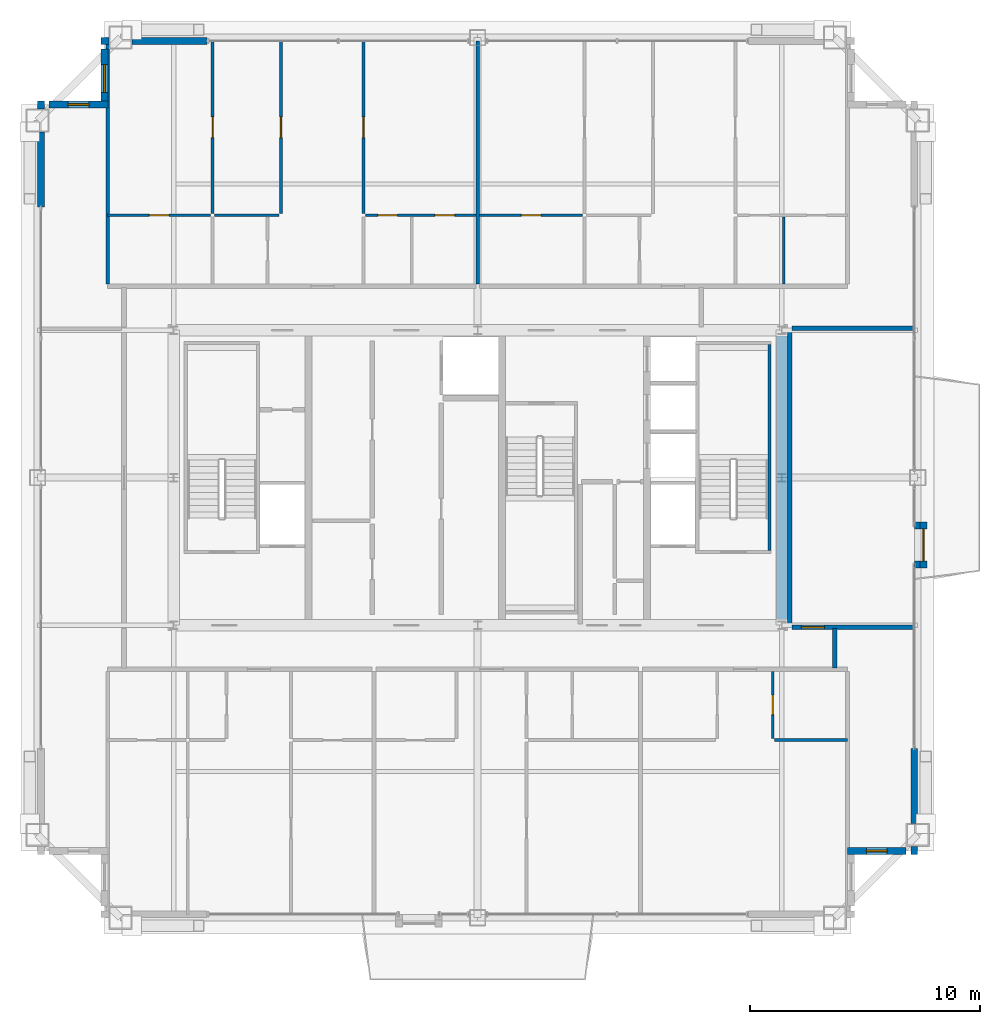
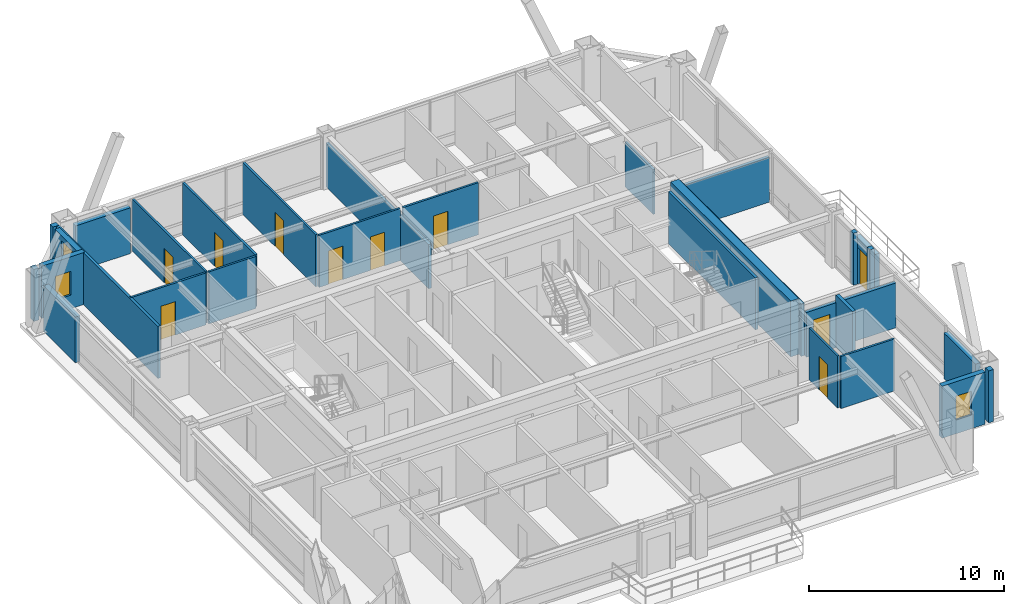
# One storey, part 33 of 35: 30 walls, 10 doors, 3 windows, 13 openings.
"""IFC4 building model written with IfcOpenShell, lengths in metres."""

from ifc_helpers import new_model, si_unit, direction, frame, frame_2d, origin, place, context, subcontext, project, spatial, rectangle, extrude, source, transform, mapped, material, layer, layer_set, type_object, element, fill, save


model = new_model("IFC4")

# Units and contexts
model_context = context("Model", 3, precision=1e-05, world=origin(), true_north=direction((0.0, 1.0)))
body_context = subcontext(model_context, "Body", "Model", "MODEL_VIEW")
ifc_project = project(units=[si_unit("LENGTHUNIT", "METRE"), si_unit("AREAUNIT", "SQUARE_METRE"), si_unit("VOLUMEUNIT", "CUBIC_METRE"), si_unit("PLANEANGLEUNIT", "RADIAN"), si_unit("MASSUNIT", "GRAM", prefix="KILO"), si_unit("THERMODYNAMICTEMPERATUREUNIT", "KELVIN"), si_unit("POWERUNIT", "WATT")], contexts=[model_context])

# Site, building, storey
site_placement = place(None, origin())
site = spatial("IfcSite", under=ifc_project, at=site_placement, CompositionType="ELEMENT")
building_placement = place(site_placement, origin())
building = spatial("IfcBuilding", under=site, at=building_placement, Name="Yuzanri Waterfront Tower", CompositionType="ELEMENT")
storey_placement = place(building_placement, frame((0.0, 0.0, 335.699951171875)))
storey = spatial("IfcBuildingStorey", under=building, at=storey_placement, Name="L90", CompositionType="ELEMENT", Elevation=335.699951171875)

# Wall, opening, door
ifc_material_1 = material(Name="Moisture-Resistant Gypsum Stud Wall", Category="gypsum")
ifc_layer_1 = layer(ifc_material_1, 0.1201171875)
ifc_layer_set_1 = layer_set([ifc_layer_1], Name="Moisture-Resistant Gypsum Stud Wall")
wall_type_1 = type_object("IfcWallType", Name="Bathroom and Kitchen Wet Partition 120", PredefinedType="PARTITIONING", material=ifc_layer_set_1)
wall_1_placement = place(storey_placement, frame((49.804931640625, 14.489990234375, 0.0), z_axis=(0.0, 0.0, 1.0), x_axis=(0.0, 1.0, 0.0)))
wall_1 = element("IfcWall", 1, at=wall_1_placement, inside=storey, type_object=wall_type_1, Name="L90 Partition UW-L90-HS3-SUB-2-W", PredefinedType="PARTITIONING", context=body_context, shape_type="SweptSolid", body=[
    extrude(rectangle(XDim=2.89990234375, YDim=0.1201171875, at=frame_2d((1.449951171875, 0.0))), origin(), (0.0, 0.0, 1.0), 3.260009765625),
])
opening_1_placement = place(wall_1_placement, frame((1.02490234375, 0.0, 0.0)))
opening_1 = element("IfcOpeningElement", 2, at=opening_1_placement, cuts=wall_1, Name="Opening ID-0850", PredefinedType="OPENING", context=body_context, shape_type="SweptSolid", body=[
    extrude(rectangle(XDim=0.85009765625, YDim=2.10009765625, at=frame_2d((0.425048828125, 1.050048828125))), frame((0.0, 0.074951171875, 0.0), z_axis=(0.0, -1.0, 0.0), x_axis=(1.0, 0.0, 0.0)), (0.0, 0.0, 1.0), 0.14990234375),
])
ifc_material_2 = material(Name="Moisture-Resistant Lacquered Timber", Category="wood")
door_type_1 = type_object("IfcDoorType", Name="En-Suite Bathroom and Kitchen Swing Door 850x2100", OperationType="NOTDEFINED", PredefinedType="DOOR", material=ifc_material_2)
shared_shape_1 = source(origin(), body_context, "Body", "SweptSolid", [
    extrude(rectangle(XDim=0.85009765625, YDim=2.10009765625, at=frame_2d((0.425048828125, 1.050048828125))), frame((0.0, 0.02490234375, 0.0), z_axis=(0.0, -1.0, 0.0), x_axis=(1.0, 0.0, 0.0)), (0.0, 0.0, 1.0), 0.050048828125),
])
door_1_placement = place(opening_1_placement, origin())
door_1 = element("IfcDoor", 3, at=door_1_placement, inside=storey, type_object=door_type_1, Name="L90 Suite Interior Room Door", OperationType="SINGLE_SWING_LEFT", OverallHeight=2.10009765625, OverallWidth=0.85009765625, PredefinedType="DOOR", context=body_context, shape_type="MappedRepresentation", body=[
    mapped(shared_shape_1, transform((0.0, 0.0, 0.0), scale=1.0)),
])
fill(opening_1, door_1)

wall_2_placement = place(storey_placement, frame((20.93994140625, 37.18994140625, 0.0), z_axis=(0.0, 0.0, 1.0), x_axis=(1.0, 0.0, 0.0)))
wall_2 = element("IfcWall", 4, at=wall_2_placement, inside=storey, type_object=wall_type_1, Name="L90 Partition UW-L90-HN1-SUB-1-N", PredefinedType="PARTITIONING", context=body_context, shape_type="SweptSolid", body=[
    extrude(rectangle(XDim=4.47412109375, YDim=0.1201171875, at=frame_2d((2.237060546875, 0.0))), origin(), (0.0, 0.0, 1.0), 3.260009765625),
])
opening_2_placement = place(wall_2_placement, frame((1.81201171875, 0.0, 0.0)))
opening_2 = element("IfcOpeningElement", 5, at=opening_2_placement, cuts=wall_2, Name="Opening ID-0850", PredefinedType="OPENING", context=body_context, shape_type="SweptSolid", body=[
    extrude(rectangle(XDim=0.85009765625, YDim=2.10009765625, at=frame_2d((0.425048828125, 1.050048828125))), frame((0.0, 0.074951171875, 0.0), z_axis=(0.0, -1.0, 0.0), x_axis=(1.0, 0.0, 0.0)), (0.0, 0.0, 1.0), 0.14990234375),
])
door_2_placement = place(opening_2_placement, origin())
door_2 = element("IfcDoor", 6, at=door_2_placement, inside=storey, type_object=door_type_1, Name="L90 Suite Interior Room Door", OperationType="SINGLE_SWING_LEFT", OverallHeight=2.10009765625, OverallWidth=0.85009765625, PredefinedType="DOOR", context=body_context, shape_type="MappedRepresentation", body=[
    mapped(shared_shape_1, transform((0.0, 0.0, 0.0), scale=1.0)),
])
fill(opening_2, door_2)

wall_3_placement = place(storey_placement, frame((25.493896484375, 37.27001953125, 0.0), z_axis=(0.0, 0.0, 1.0), x_axis=(0.0, 1.0, 0.0)))
wall_3 = element("IfcWall", 7, at=wall_3_placement, inside=storey, type_object=wall_type_1, Name="L90 Partition UW-L90-HN1-SUB-5-E", PredefinedType="PARTITIONING", context=body_context, shape_type="SweptSolid", body=[
    extrude(rectangle(XDim=7.47998046875, YDim=0.1201171875, at=frame_2d((3.739990234375, 0.0))), origin(), (0.0, 0.0, 1.0), 3.260009765625),
])
opening_3_placement = place(wall_3_placement, frame((3.2900390625, 0.0, 0.0)))
opening_3 = element("IfcOpeningElement", 8, at=opening_3_placement, cuts=wall_3, Name="Opening ID-0900", PredefinedType="OPENING", context=body_context, shape_type="SweptSolid", body=[
    extrude(rectangle(XDim=0.89990234375, YDim=2.14990234375, at=frame_2d((0.449951171875, 1.074951171875))), frame((0.0, 0.074951171875, 0.0), z_axis=(0.0, -1.0, 0.0), x_axis=(1.0, 0.0, 0.0)), (0.0, 0.0, 1.0), 0.14990234375),
])
ifc_material_3 = material(Name="Stained Walnut Veneer Timber", Category="wood")
door_type_2 = type_object("IfcDoorType", Name="Bedroom and Study Interior Swing Door 900x2150", OperationType="NOTDEFINED", PredefinedType="DOOR", material=ifc_material_3)
shared_shape_2 = source(origin(), body_context, "Body", "SweptSolid", [
    extrude(rectangle(XDim=0.89990234375, YDim=2.14990234375, at=frame_2d((0.449951171875, 1.074951171875))), frame((0.0, 0.02490234375, 0.0), z_axis=(0.0, -1.0, 0.0), x_axis=(1.0, 0.0, 0.0)), (0.0, 0.0, 1.0), 0.050048828125),
])
door_3_placement = place(opening_3_placement, origin())
door_3 = element("IfcDoor", 9, at=door_3_placement, inside=storey, type_object=door_type_2, Name="L90 Suite Interior Room Door", OperationType="SINGLE_SWING_LEFT", OverallHeight=2.14990234375, OverallWidth=0.89990234375, PredefinedType="DOOR", context=body_context, shape_type="MappedRepresentation", body=[
    mapped(shared_shape_2, transform((0.0, 0.0, 0.0), scale=1.0)),
])
fill(opening_3, door_3)

# Wall, openings, doors
wall_4_placement = place(storey_placement, frame((32.1259765625, 37.18994140625, 0.0), z_axis=(0.0, 0.0, 1.0), x_axis=(1.0, 0.0, 0.0)))
wall_4 = element("IfcWall", 10, at=wall_4_placement, inside=storey, type_object=wall_type_1, Name="L90 Partition UW-L90-HN1-SUB-6-S", PredefinedType="PARTITIONING", context=body_context, shape_type="SweptSolid", body=[
    extrude(rectangle(XDim=4.7939453125, YDim=0.1201171875, at=frame_2d((2.39697265625, 0.0))), origin(), (0.0, 0.0, 1.0), 3.260009765625),
])
opening_4_placement = place(wall_4_placement, frame((3.01904296875, 0.0, 0.0)))
opening_4 = element("IfcOpeningElement", 11, at=opening_4_placement, cuts=wall_4, Name="Opening ID-0850", PredefinedType="OPENING", context=body_context, shape_type="SweptSolid", body=[
    extrude(rectangle(XDim=0.85009765625, YDim=2.10009765625, at=frame_2d((0.425048828125, 1.050048828125))), frame((0.0, 0.074951171875, 0.0), z_axis=(0.0, -1.0, 0.0), x_axis=(1.0, 0.0, 0.0)), (0.0, 0.0, 1.0), 0.14990234375),
])
opening_5_placement = place(wall_4_placement, frame((0.5419921875, 0.0, 0.0)))
opening_5 = element("IfcOpeningElement", 12, at=opening_5_placement, cuts=wall_4, Name="Opening ID-0850", PredefinedType="OPENING", context=body_context, shape_type="SweptSolid", body=[
    extrude(rectangle(XDim=0.85009765625, YDim=2.10009765625, at=frame_2d((0.425048828125, 1.050048828125))), frame((0.0, 0.074951171875, 0.0), z_axis=(0.0, -1.0, 0.0), x_axis=(1.0, 0.0, 0.0)), (0.0, 0.0, 1.0), 0.14990234375),
])
door_4_placement = place(opening_4_placement, origin())
door_4 = element("IfcDoor", 13, at=door_4_placement, inside=storey, type_object=door_type_1, Name="L90 Suite Interior Room Door", OperationType="SINGLE_SWING_LEFT", OverallHeight=2.10009765625, OverallWidth=0.85009765625, PredefinedType="DOOR", context=body_context, shape_type="MappedRepresentation", body=[
    mapped(shared_shape_1, transform((0.0, 0.0, 0.0), scale=1.0)),
])
fill(opening_4, door_4)
door_5_placement = place(opening_5_placement, origin())
door_5 = element("IfcDoor", 14, at=door_5_placement, inside=storey, type_object=door_type_1, Name="L90 Suite Interior Room Door", OperationType="SINGLE_SWING_RIGHT", OverallHeight=2.10009765625, OverallWidth=0.85009765625, PredefinedType="DOOR", context=body_context, shape_type="MappedRepresentation", body=[
    mapped(shared_shape_1, transform((0.0, 0.0, 0.0), scale=1.0)),
])
fill(opening_5, door_5)

# Wall, opening, door
wall_5_placement = place(storey_placement, frame((32.0458984375, 37.27001953125, 0.0), z_axis=(0.0, 0.0, 1.0), x_axis=(0.0, 1.0, 0.0)))
wall_5 = element("IfcWall", 15, at=wall_5_placement, inside=storey, type_object=wall_type_1, Name="L90 Partition UW-L90-HN1-SUB-6-W", PredefinedType="PARTITIONING", context=body_context, shape_type="SweptSolid", body=[
    extrude(rectangle(XDim=7.47998046875, YDim=0.1201171875, at=frame_2d((3.739990234375, 0.0))), origin(), (0.0, 0.0, 1.0), 3.260009765625),
])
opening_6_placement = place(wall_5_placement, frame((3.2900390625, 0.0, 0.0)))
opening_6 = element("IfcOpeningElement", 16, at=opening_6_placement, cuts=wall_5, Name="Opening ID-0900", PredefinedType="OPENING", context=body_context, shape_type="SweptSolid", body=[
    extrude(rectangle(XDim=0.89990234375, YDim=2.14990234375, at=frame_2d((0.449951171875, 1.074951171875))), frame((0.0, 0.074951171875, 0.0), z_axis=(0.0, -1.0, 0.0), x_axis=(1.0, 0.0, 0.0)), (0.0, 0.0, 1.0), 0.14990234375),
])
door_6_placement = place(opening_6_placement, origin())
door_6 = element("IfcDoor", 17, at=door_6_placement, inside=storey, type_object=door_type_2, Name="L90 Suite Interior Room Door", OperationType="SINGLE_SWING_RIGHT", OverallHeight=2.14990234375, OverallWidth=0.89990234375, PredefinedType="DOOR", context=body_context, shape_type="MappedRepresentation", body=[
    mapped(shared_shape_2, transform((0.0, 0.0, 0.0), scale=1.0)),
])
fill(opening_6, door_6)

wall_6_placement = place(storey_placement, frame((28.466064453125, 37.27001953125, 0.0), z_axis=(0.0, 0.0, 1.0), x_axis=(0.0, 1.0, 0.0)))
wall_6 = element("IfcWall", 18, at=wall_6_placement, inside=storey, type_object=wall_type_1, Name="L90 Partition UW-L90-HN1-SUB-7-E", PredefinedType="PARTITIONING", context=body_context, shape_type="SweptSolid", body=[
    extrude(rectangle(XDim=7.47998046875, YDim=0.1201171875, at=frame_2d((3.739990234375, 0.0))), origin(), (0.0, 0.0, 1.0), 3.260009765625),
])
opening_7_placement = place(wall_6_placement, frame((3.2900390625, 0.0, 0.0)))
opening_7 = element("IfcOpeningElement", 19, at=opening_7_placement, cuts=wall_6, Name="Opening ID-0900", PredefinedType="OPENING", context=body_context, shape_type="SweptSolid", body=[
    extrude(rectangle(XDim=0.89990234375, YDim=2.14990234375, at=frame_2d((0.449951171875, 1.074951171875))), frame((0.0, 0.074951171875, 0.0), z_axis=(0.0, -1.0, 0.0), x_axis=(1.0, 0.0, 0.0)), (0.0, 0.0, 1.0), 0.14990234375),
])
door_7_placement = place(opening_7_placement, origin())
door_7 = element("IfcDoor", 20, at=door_7_placement, inside=storey, type_object=door_type_2, Name="L90 Suite Interior Room Door", OperationType="SINGLE_SWING_LEFT", OverallHeight=2.14990234375, OverallWidth=0.89990234375, PredefinedType="DOOR", context=body_context, shape_type="MappedRepresentation", body=[
    mapped(shared_shape_2, transform((0.0, 0.0, 0.0), scale=1.0)),
])
fill(opening_7, door_7)

wall_7_placement = place(storey_placement, frame((37.080078125, 37.18994140625, 0.0), z_axis=(0.0, 0.0, 1.0), x_axis=(1.0, 0.0, 0.0)))
wall_7 = element("IfcWall", 21, at=wall_7_placement, inside=storey, type_object=wall_type_1, Name="L90 Partition UW-L90-HN2-SUB-1-N", PredefinedType="PARTITIONING", context=body_context, shape_type="SweptSolid", body=[
    extrude(rectangle(XDim=4.473876953125, YDim=0.1201171875, at=frame_2d((2.23681640625, 0.0))), origin(), (0.0, 0.0, 1.0), 3.260009765625),
])
opening_8_placement = place(wall_7_placement, frame((1.81201171875, 0.0, 0.0)))
opening_8 = element("IfcOpeningElement", 22, at=opening_8_placement, cuts=wall_7, Name="Opening ID-0850", PredefinedType="OPENING", context=body_context, shape_type="SweptSolid", body=[
    extrude(rectangle(XDim=0.85009765625, YDim=2.10009765625, at=frame_2d((0.425048828125, 1.050048828125))), frame((0.0, 0.074951171875, 0.0), z_axis=(0.0, -1.0, 0.0), x_axis=(1.0, 0.0, 0.0)), (0.0, 0.0, 1.0), 0.14990234375),
])
door_8_placement = place(opening_8_placement, origin())
door_8 = element("IfcDoor", 23, at=door_8_placement, inside=storey, type_object=door_type_1, Name="L90 Suite Interior Room Door", OperationType="SINGLE_SWING_LEFT", OverallHeight=2.10009765625, OverallWidth=0.85009765625, PredefinedType="DOOR", context=body_context, shape_type="MappedRepresentation", body=[
    mapped(shared_shape_1, transform((0.0, 0.0, 0.0), scale=1.0)),
])
fill(opening_8, door_8)

# Wall, opening, window
ifc_material_4 = material(Name="Honed Chongqing Dark Basalt Stone", Category="masonry")
ifc_layer_2 = layer(ifc_material_4, 0.300048828125)
ifc_layer_set_2 = layer_set([ifc_layer_2], Name="Honed Chongqing Dark Basalt Stone")
wall_type_2 = type_object("IfcWallType", Name="Bronze Rainscreen Insulated Spandrel Portal Wall 300", PredefinedType="SOLIDWALL", material=ifc_layer_set_2)
wall_8_placement = place(storey_placement, frame((53.050048828125, 9.60009765625, 0.0), z_axis=(0.0, 0.0, 1.0), x_axis=(1.0, 0.0, 0.0)))
wall_8 = element("IfcWall", 24, at=wall_8_placement, inside=storey, type_object=wall_type_2, Name="L90 Notched Corner Masonry Wall SE-X", PredefinedType="SOLIDWALL", context=body_context, shape_type="SweptSolid", body=[
    extrude(rectangle(XDim=2.550048828125, YDim=0.300048828125, at=frame_2d((1.27490234375, 0.0))), origin(), (0.0, 0.0, 1.0), 3.260009765625),
])
opening_9_placement = place(wall_8_placement, frame((0.824951171875, 0.0, 0.85009765625)))
opening_9 = element("IfcOpeningElement", 25, at=opening_9_placement, cuts=wall_8, Name="Opening WN-05", PredefinedType="OPENING", context=body_context, shape_type="SweptSolid", body=[
    extrude(rectangle(XDim=0.89990234375, YDim=1.5, at=frame_2d((0.449951171875, 0.75))), frame((0.0, 0.1650390625, 0.0), z_axis=(0.0, -1.0, 0.0), x_axis=(1.0, 0.0, 0.0)), (0.0, 0.0, 1.0), 0.329833984375),
])
ifc_material_5 = material(Name="Double-Silver Low-E Insulated Glass", Category="glass")
window_type_1 = type_object("IfcWindowType", Name="Anodized Bronze Service and Stairwell Smoke-Vent Window 900x1500", PartitioningType="SINGLE_PANEL", PredefinedType="WINDOW", material=ifc_material_5)
shared_shape_3 = source(origin(), body_context, "Body", "SweptSolid", [
    extrude(rectangle(XDim=0.89990234375, YDim=1.5, at=frame_2d((0.449951171875, 0.75))), frame((0.0, 0.030029296875, 0.0), z_axis=(0.0, -1.0, 0.0), x_axis=(1.0, 0.0, 0.0)), (0.0, 0.0, 1.0), 0.06005859375),
])
window_1_placement = place(opening_9_placement, origin())
window_1 = element("IfcWindow", 26, at=window_1_placement, inside=storey, type_object=window_type_1, Name="L90 Notched Corner Window SE-X", OverallHeight=1.5, OverallWidth=0.89990234375, PartitioningType="SINGLE_PANEL", PredefinedType="WINDOW", context=body_context, shape_type="MappedRepresentation", body=[
    mapped(shared_shape_3, transform((0.0, 0.0, 0.0), scale=1.0)),
])
fill(opening_9, window_1)

wall_9_placement = place(storey_placement, frame((20.949951171875, 42.0, 0.0), z_axis=(0.0, 0.0, 1.0), x_axis=(-1.0, 0.0, 0.0)))
wall_9 = element("IfcWall", 27, at=wall_9_placement, inside=storey, type_object=wall_type_2, Name="L90 Notched Corner Masonry Wall NW-X", PredefinedType="SOLIDWALL", context=body_context, shape_type="SweptSolid", body=[
    extrude(rectangle(XDim=2.550048828125, YDim=0.300048828125, at=frame_2d((1.27490234375, 0.0))), origin(), (0.0, 0.0, 1.0), 3.260009765625),
])
opening_10_placement = place(wall_9_placement, frame((0.824951171875, 0.0, 0.85009765625)))
opening_10 = element("IfcOpeningElement", 28, at=opening_10_placement, cuts=wall_9, Name="Opening WN-05", PredefinedType="OPENING", context=body_context, shape_type="SweptSolid", body=[
    extrude(rectangle(XDim=0.89990234375, YDim=1.5, at=frame_2d((0.449951171875, 0.75))), frame((0.0, 0.1650390625, 0.0), z_axis=(0.0, -1.0, 0.0), x_axis=(1.0, 0.0, 0.0)), (0.0, 0.0, 1.0), 0.329833984375),
])
window_2_placement = place(opening_10_placement, origin())
window_2 = element("IfcWindow", 29, at=window_2_placement, inside=storey, type_object=window_type_1, Name="L90 Notched Corner Window NW-X", OverallHeight=1.5, OverallWidth=0.89990234375, PartitioningType="SINGLE_PANEL", PredefinedType="WINDOW", context=body_context, shape_type="MappedRepresentation", body=[
    mapped(shared_shape_3, transform((0.0, 0.0, 0.0), scale=1.0)),
])
fill(opening_10, window_2)

wall_10_placement = place(storey_placement, frame((20.800048828125, 44.39990234375, 0.0), z_axis=(0.0, 0.0, 1.0), x_axis=(0.0, -1.0, 0.0)))
wall_10 = element("IfcWall", 30, at=wall_10_placement, inside=storey, type_object=wall_type_2, Name="L90 Notched Corner Masonry Wall NW-Y", PredefinedType="SOLIDWALL", context=body_context, shape_type="SweptSolid", body=[
    extrude(rectangle(XDim=2.5498046875, YDim=0.300048828125, at=frame_2d((1.27490234375, 0.0))), origin(), (0.0, 0.0, 1.0), 3.260009765625),
])
opening_11_placement = place(wall_10_placement, frame((0.675048828125, 0.0, 0.85009765625)))
opening_11 = element("IfcOpeningElement", 31, at=opening_11_placement, cuts=wall_10, Name="Opening WN-02", PredefinedType="OPENING", context=body_context, shape_type="SweptSolid", body=[
    extrude(rectangle(XDim=1.199951171875, YDim=2.10009765625, at=frame_2d((0.60009765625, 1.050048828125))), frame((0.0, 0.1650390625, 0.0), z_axis=(0.0, -1.0, 0.0), x_axis=(1.0, 0.0, 0.0)), (0.0, 0.0, 1.0), 0.329833984375),
])
ifc_material_6 = material(Name="Double-Silver Low-E Insulated Glass", Category="glass")
window_type_2 = type_object("IfcWindowType", Name="Anodized Bronze Notched Corner Deep-Set Slot Window 1200x2100", PartitioningType="SINGLE_PANEL", PredefinedType="WINDOW", material=ifc_material_6)
shared_shape_4 = source(origin(), body_context, "Body", "SweptSolid", [
    extrude(rectangle(XDim=1.199951171875, YDim=2.10009765625, at=frame_2d((0.60009765625, 1.050048828125))), frame((0.0, 0.030029296875, 0.0), z_axis=(0.0, -1.0, 0.0), x_axis=(1.0, 0.0, 0.0)), (0.0, 0.0, 1.0), 0.06005859375),
])
window_3_placement = place(opening_11_placement, origin())
window_3 = element("IfcWindow", 32, at=window_3_placement, inside=storey, type_object=window_type_2, Name="L90 Notched Corner Window NW-Y", OverallHeight=2.10009765625, OverallWidth=1.199951171875, PartitioningType="SINGLE_PANEL", PredefinedType="WINDOW", context=body_context, shape_type="MappedRepresentation", body=[
    mapped(shared_shape_4, transform((0.0, 0.0, 0.0), scale=1.0)),
])
fill(opening_11, window_3)

# Wall, opening, door
wall_11_placement = place(storey_placement, frame((56.35009765625, 21.875, 0.0), z_axis=(0.0, 0.0, 1.0), x_axis=(0.0, 1.0, 0.0)))
wall_11 = element("IfcWall", 33, at=wall_11_placement, inside=storey, type_object=wall_type_2, Name="L90 E Terrace Door Portal Wall", PredefinedType="SOLIDWALL", context=body_context, shape_type="SweptSolid", body=[
    extrude(rectangle(XDim=2.0, YDim=0.300048828125, at=frame_2d((1.0, 0.0))), origin(), (0.0, 0.0, 1.0), 2.864990234375),
])
opening_12_placement = place(wall_11_placement, frame((0.300048828125, 0.0, 0.0)))
opening_12 = element("IfcOpeningElement", 34, at=opening_12_placement, cuts=wall_11, Name="Opening TD-1400", PredefinedType="OPENING", context=body_context, shape_type="SweptSolid", body=[
    extrude(rectangle(XDim=1.39990234375, YDim=2.300048828125, at=frame_2d((0.699951171875, 1.14990234375))), frame((0.0, 0.1650390625, 0.0), z_axis=(0.0, -1.0, 0.0), x_axis=(1.0, 0.0, 0.0)), (0.0, 0.0, 1.0), 0.329833984375),
])
ifc_material_7 = material(Name="Anodized Architectural Bronze", Category="metal")
door_type_3 = type_object("IfcDoorType", Name="Anodized Bronze Balcony and Terrace Glazed Double Door 1400x2300", OperationType="NOTDEFINED", PredefinedType="DOOR", material=ifc_material_7)
shared_shape_5 = source(origin(), body_context, "Body", "SweptSolid", [
    extrude(rectangle(XDim=1.39990234375, YDim=2.300048828125, at=frame_2d((0.699951171875, 1.14990234375))), frame((0.0, 0.02490234375, 0.0), z_axis=(0.0, -1.0, 0.0), x_axis=(1.0, 0.0, 0.0)), (0.0, 0.0, 1.0), 0.050048828125),
])
door_9_placement = place(opening_12_placement, origin())
door_9 = element("IfcDoor", 35, at=door_9_placement, inside=storey, type_object=door_type_3, Name="L90 E Terrace Glazed Double Door", OperationType="DOUBLE_DOOR_SINGLE_SWING", OverallHeight=2.300048828125, OverallWidth=1.39990234375, PredefinedType="DOOR", context=body_context, shape_type="MappedRepresentation", body=[
    mapped(shared_shape_5, transform((0.0, 0.0, 0.0), scale=1.0)),
])
fill(opening_12, door_9)

ifc_material_8 = material(Name="Autoclaved Aerated Concrete Blockwork", Category="masonry")
ifc_layer_3 = layer(ifc_material_8, 0.199951171875)
ifc_layer_set_3 = layer_set([ifc_layer_3], Name="Autoclaved Aerated Concrete Blockwork")
wall_type_3 = type_object("IfcWallType", Name="Corridor and Unit Party Fire Wall 200", PredefinedType="PARTITIONING", material=ifc_layer_set_3)
wall_12_placement = place(storey_placement, frame((50.64990234375, 19.31005859375, 0.0), z_axis=(0.0, 0.0, 1.0), x_axis=(1.0, 0.0, 0.0)))
wall_12 = element("IfcWall", 36, at=wall_12_placement, inside=storey, type_object=wall_type_3, Name="L90 Partition UW-L90-051-CS", PredefinedType="PARTITIONING", context=body_context, shape_type="SweptSolid", body=[
    extrude(rectangle(XDim=5.300048828125, YDim=0.199951171875, at=frame_2d((2.64990234375, 0.0))), origin(), (0.0, 0.0, 1.0), 2.804931640625),
])
opening_13_placement = place(wall_12_placement, frame((0.39990234375, 0.0, 0.0)))
opening_13 = element("IfcOpeningElement", 37, at=opening_13_placement, cuts=wall_12, Name="Opening FD-1000", PredefinedType="OPENING", context=body_context, shape_type="SweptSolid", body=[
    extrude(rectangle(XDim=1.0, YDim=2.199951171875, at=frame_2d((0.5, 1.10009765625))), frame((0.0, 0.11474609375, 0.0), z_axis=(0.0, -1.0, 0.0), x_axis=(1.0, 0.0, 0.0)), (0.0, 0.0, 1.0), 0.229736328125),
])
ifc_material_9 = material(Name="Engineered Oak Fire-Rated Timber", Category="wood")
door_type_4 = type_object("IfcDoorType", Name="Guestroom and Apartment Entrance Fire Door 1000x2200", OperationType="NOTDEFINED", PredefinedType="DOOR", material=ifc_material_9)
shared_shape_6 = source(origin(), body_context, "Body", "SweptSolid", [
    extrude(rectangle(XDim=1.0, YDim=2.199951171875, at=frame_2d((0.5, 1.10009765625))), frame((0.0, 0.02490234375, 0.0), z_axis=(0.0, -1.0, 0.0), x_axis=(1.0, 0.0, 0.0)), (0.0, 0.0, 1.0), 0.050048828125),
])
door_10_placement = place(opening_13_placement, origin())
door_10 = element("IfcDoor", 38, at=door_10_placement, inside=storey, type_object=door_type_4, Name="L90 High-Rise E Private Dining Restaurant Entrance Door", OperationType="SINGLE_SWING_LEFT", OverallHeight=2.199951171875, OverallWidth=1.0, PredefinedType="DOOR", context=body_context, shape_type="MappedRepresentation", body=[
    mapped(shared_shape_6, transform((0.0, 0.0, 0.0), scale=1.0)),
])
fill(opening_13, door_10)

# Walls
ifc_material_10 = material(Name="Concrete C45", Category="concrete")
ifc_layer_4 = layer(ifc_material_10, 0.47998046875)
ifc_layer_set_4 = layer_set([ifc_layer_4], Name="Concrete C45")
wall_type_4 = type_object("IfcWallType", Name="Concrete C45 High-Rise Core Shear Wall 480", PredefinedType="SHEAR", material=ifc_layer_set_4)
shared_shape_7 = source(origin(), body_context, "Body", "SweptSolid", [
    extrude(rectangle(XDim=12.320068359375, YDim=0.47998046875, at=frame_2d((6.16015625, 0.0))), origin(), (0.0, 0.0, 1.0), 3.5),
])
wall_13_placement = place(storey_placement, frame((50.199951171875, 19.639892578125, 0.0), z_axis=(0.0, 0.0, 1.0), x_axis=(0.0, 1.0, 0.0)))
element("IfcWall", 39, at=wall_13_placement, inside=storey, type_object=wall_type_4, Name="L90 Core East Shear Wall", PredefinedType="SHEAR", context=body_context, shape_type="MappedRepresentation", body=[
    mapped(shared_shape_7, transform((0.0, 0.0, 0.0), scale=1.0)),
])
shared_shape_8 = source(origin(), body_context, "Body", "SweptSolid", [
    extrude(rectangle(XDim=0.35009765625, YDim=0.300048828125, at=frame_2d((0.175048828125, 0.0))), origin(), (0.0, 0.0, 1.0), 3.260009765625),
])
for number, where, z_axis, x_axis, name in (
    (40, (20.64990234375, 44.75, 0.0), (0.0, 0.0, 1.0), (1.0, 0.0, 0.0), "L90 Corner Column Shoulder Return CNW"),
    (41, (55.949951171875, 9.449951171875, 0.0), (0.0, 0.0, 1.0), (0.0, 1.0, 0.0), "L90 Corner Column Shoulder Return CES"),
):
    element("IfcWall", number, at=place(storey_placement, frame(where, z_axis=z_axis, x_axis=x_axis)), inside=storey, type_object=wall_type_2, Name=name, PredefinedType="SOLIDWALL", context=body_context, shape_type="MappedRepresentation", body=[
        mapped(shared_shape_8, transform((0.0, 0.0, 0.0), scale=1.0)),
    ])
shared_shape_9 = source(origin(), body_context, "Body", "SweptSolid", [
    extrude(rectangle(XDim=0.349853515625, YDim=0.300048828125, at=frame_2d((0.1748046875, 0.0))), origin(), (0.0, 0.0, 1.0), 3.260009765625),
])
wall_14_placement = place(storey_placement, frame((18.050048828125, 41.800048828125, 0.0), z_axis=(0.0, 0.0, 1.0), x_axis=(0.0, 1.0, 0.0)))
element("IfcWall", 42, at=wall_14_placement, inside=storey, type_object=wall_type_2, Name="L90 Corner Column Shoulder Return CWN", PredefinedType="SOLIDWALL", context=body_context, shape_type="MappedRepresentation", body=[
    mapped(shared_shape_9, transform((0.0, 0.0, 0.0), scale=1.0)),
])
shared_shape_10 = source(origin(), body_context, "Body", "SweptSolid", [
    extrude(rectangle(XDim=3.25, YDim=0.300048828125, at=frame_2d((1.625, 0.0))), origin(), (0.0, 0.0, 1.0), 2.864990234375),
])
for number, where, z_axis, x_axis, name in (
    (43, (22.0, 44.75, 0.0), (0.0, 0.0, 1.0), (1.0, 0.0, 0.0), "L90 N Left Braced Masonry Shoulder"),
    (44, (18.050048828125, 37.550048828125, 0.0), (0.0, 0.0, 1.0), (0.0, 1.0, 0.0), "L90 W Right Braced Masonry Shoulder"),
    (45, (55.949951171875, 10.800048828125, 0.0), (0.0, 0.0, 1.0), (0.0, 1.0, 0.0), "L90 E Left Braced Masonry Shoulder"),
):
    element("IfcWall", number, at=place(storey_placement, frame(where, z_axis=z_axis, x_axis=x_axis)), inside=storey, type_object=wall_type_2, Name=name, PredefinedType="SOLIDWALL", context=body_context, shape_type="MappedRepresentation", body=[
        mapped(shared_shape_10, transform((0.0, 0.0, 0.0), scale=1.0)),
    ])
shared_shape_11 = source(origin(), body_context, "Body", "SweptSolid", [
    extrude(rectangle(XDim=0.25, YDim=0.300048828125, at=frame_2d((0.125, 0.0))), origin(), (0.0, 0.0, 1.0), 3.260009765625),
])
for number, where, z_axis, x_axis, name in (
    (46, (55.949951171875, 22.02490234375, 0.0), (0.0, 0.0, 1.0), (1.0, 0.0, 0.0), "L90 E Terrace Portal Left Return"),
    (47, (56.199951171875, 23.72509765625, 0.0), (0.0, 0.0, 1.0), (-1.0, 0.0, 0.0), "L90 E Terrace Portal Right Return"),
):
    element("IfcWall", number, at=place(storey_placement, frame(where, z_axis=z_axis, x_axis=x_axis)), inside=storey, type_object=wall_type_2, Name=name, PredefinedType="SOLIDWALL", context=body_context, shape_type="MappedRepresentation", body=[
        mapped(shared_shape_11, transform((0.0, 0.0, 0.0), scale=1.0)),
    ])
ifc_material_11 = material(Name="Concrete C40", Category="concrete")
ifc_layer_5 = layer(ifc_material_11, 0.139892578125)
ifc_layer_set_5 = layer_set([ifc_layer_5], Name="Concrete C40")
wall_type_5 = type_object("IfcWallType", Name="Core Stair Liner and Hoistway Shaft Wall 140", PredefinedType="SOLIDWALL", material=ifc_layer_set_5)
shared_shape_12 = source(origin(), body_context, "Body", "SweptSolid", [
    extrude(rectangle(XDim=8.940185546875, YDim=0.139892578125, at=frame_2d((4.47021484375, 0.0))), origin(), (0.0, 0.0, 1.0), 3.260009765625),
])
wall_15_placement = place(storey_placement, frame((49.669921875, 22.639892578125, 0.0), z_axis=(0.0, 0.0, 1.0), x_axis=(0.0, 1.0, 0.0)))
element("IfcWall", 48, at=wall_15_placement, inside=storey, type_object=wall_type_5, Name="L90 Stair ST-02 East Shaft Wall", PredefinedType="SOLIDWALL", context=body_context, shape_type="MappedRepresentation", body=[
    mapped(shared_shape_12, transform((0.0, 0.0, 0.0), scale=1.0)),
])
shared_shape_13 = source(origin(), body_context, "Body", "SweptSolid", [
    extrude(rectangle(XDim=1.699951171875, YDim=0.199951171875, at=frame_2d((0.85009765625, 0.0))), origin(), (0.0, 0.0, 1.0), 3.260009765625),
])
wall_16_placement = place(storey_placement, frame((52.5, 17.550048828125, 0.0), z_axis=(0.0, 0.0, 1.0), x_axis=(0.0, 1.0, 0.0)))
element("IfcWall", 49, at=wall_16_placement, inside=storey, type_object=wall_type_3, Name="L90 South Foyer East End Wall", PredefinedType="PARTITIONING", context=body_context, shape_type="MappedRepresentation", body=[
    mapped(shared_shape_13, transform((0.0, 0.0, 0.0), scale=1.0)),
])
shared_shape_14 = source(origin(), body_context, "Body", "SweptSolid", [
    extrude(rectangle(XDim=3.175048828125, YDim=0.1201171875, at=frame_2d((1.58740234375, 0.0))), origin(), (0.0, 0.0, 1.0), 3.260009765625),
])
wall_17_placement = place(storey_placement, frame((49.885009765625, 14.409912109375, 0.0), z_axis=(0.0, 0.0, 1.0), x_axis=(1.0, 0.0, 0.0)))
element("IfcWall", 50, at=wall_17_placement, inside=storey, type_object=wall_type_1, Name="L90 Partition UW-L90-HS3-SUB-2-S", PredefinedType="PARTITIONING", context=body_context, shape_type="MappedRepresentation", body=[
    mapped(shared_shape_14, transform((0.0, 0.0, 0.0), scale=1.0)),
])
ifc_material_12 = material(Name="Gypsum Fireboard Acoustic Stud Wall", Category="gypsum")
ifc_layer_6 = layer(ifc_material_12, 0.159912109375)
ifc_layer_set_6 = layer_set([ifc_layer_6], Name="Gypsum Fireboard Acoustic Stud Wall")
wall_type_6 = type_object("IfcWallType", Name="Acoustic Suite Demising Partition 160", PredefinedType="PARTITIONING", material=ifc_layer_set_6)
shared_shape_15 = source(origin(), body_context, "Body", "SweptSolid", [
    extrude(rectangle(XDim=10.5400390625, YDim=0.159912109375, at=frame_2d((5.27001953125, 0.0))), origin(), (0.0, 0.0, 1.0), 2.76708984375),
])
wall_18_placement = place(storey_placement, frame((37.0, 34.2099609375, 0.0), z_axis=(0.0, 0.0, 1.0), x_axis=(0.0, 1.0, 0.0)))
element("IfcWall", 51, at=wall_18_placement, inside=storey, type_object=wall_type_6, Name="L90-HN1 Party Wall", PredefinedType="PARTITIONING", context=body_context, shape_type="MappedRepresentation", body=[
    mapped(shared_shape_15, transform((0.0, 0.0, 0.0), scale=1.0)),
])
shared_shape_16 = source(origin(), body_context, "Body", "SweptSolid", [
    extrude(rectangle(XDim=2.81201171875, YDim=0.1201171875, at=frame_2d((1.406005859375, 0.0))), origin(), (0.0, 0.0, 1.0), 3.260009765625),
])
wall_19_placement = place(storey_placement, frame((25.573974609375, 37.18994140625, 0.0), z_axis=(0.0, 0.0, 1.0), x_axis=(1.0, 0.0, 0.0)))
element("IfcWall", 52, at=wall_19_placement, inside=storey, type_object=wall_type_1, Name="L90 Partition UW-L90-HN1-SUB-7-S", PredefinedType="PARTITIONING", context=body_context, shape_type="MappedRepresentation", body=[
    mapped(shared_shape_16, transform((0.0, 0.0, 0.0), scale=1.0)),
])
shared_shape_17 = source(origin(), body_context, "Body", "SweptSolid", [
    extrude(rectangle(XDim=10.39013671875, YDim=0.159912109375, at=frame_2d((5.195068359375, 0.0))), origin(), (0.0, 0.0, 1.0), 3.260009765625),
])
wall_20_placement = place(storey_placement, frame((20.949951171875, 34.2099609375, 0.0), z_axis=(0.0, 0.0, 1.0), x_axis=(0.0, 1.0, 0.0)))
element("IfcWall", 53, at=wall_20_placement, inside=storey, type_object=wall_type_6, Name="L90 North Band West End Wall", PredefinedType="PARTITIONING", context=body_context, shape_type="MappedRepresentation", body=[
    mapped(shared_shape_17, transform((0.0, 0.0, 0.0), scale=1.0)),
])
shared_shape_18 = source(origin(), body_context, "Body", "SweptSolid", [
    extrude(rectangle(XDim=2.900146484375, YDim=0.1201171875, at=frame_2d((1.4501953125, 0.0))), origin(), (0.0, 0.0, 1.0), 2.804931640625),
])
wall_21_placement = place(storey_placement, frame((50.280029296875, 34.2099609375, 0.0), z_axis=(0.0, 0.0, 1.0), x_axis=(0.0, 1.0, 0.0)))
element("IfcWall", 54, at=wall_21_placement, inside=storey, type_object=wall_type_1, Name="L90 Partition UW-L90-HN2-SUB-3-W", PredefinedType="PARTITIONING", context=body_context, shape_type="MappedRepresentation", body=[
    mapped(shared_shape_18, transform((0.0, 0.0, 0.0), scale=1.0)),
])
shared_shape_19 = source(origin(), body_context, "Body", "SweptSolid", [
    extrude(rectangle(XDim=5.300048828125, YDim=0.199951171875, at=frame_2d((2.64990234375, 0.0))), origin(), (0.0, 0.0, 1.0), 2.804931640625),
])
wall_22_placement = place(storey_placement, frame((50.64990234375, 32.2900390625, 0.0), z_axis=(0.0, 0.0, 1.0), x_axis=(1.0, 0.0, 0.0)))
element("IfcWall", 55, at=wall_22_placement, inside=storey, type_object=wall_type_3, Name="L90-051 Wing North Wall", PredefinedType="PARTITIONING", context=body_context, shape_type="MappedRepresentation", body=[
    mapped(shared_shape_19, transform((0.0, 0.0, 0.0), scale=1.0)),
])
shared_shape_20 = source(origin(), body_context, "Body", "SweptSolid", [
    extrude(rectangle(XDim=12.780029296875, YDim=0.199951171875, at=frame_2d((6.39013671875, 0.0))), origin(), (0.0, 0.0, 1.0), 3.260009765625),
])
wall_23_placement = place(storey_placement, frame((50.544921875, 19.409912109375, 0.0), z_axis=(0.0, 0.0, 1.0), x_axis=(0.0, 1.0, 0.0)))
element("IfcWall", 56, at=wall_23_placement, inside=storey, type_object=wall_type_3, Name="L90-051 Wing Inner Core-Side Wall", PredefinedType="PARTITIONING", context=body_context, shape_type="MappedRepresentation", body=[
    mapped(shared_shape_20, transform((0.0, 0.0, 0.0), scale=1.0)),
])

save(model, "model.ifc")
